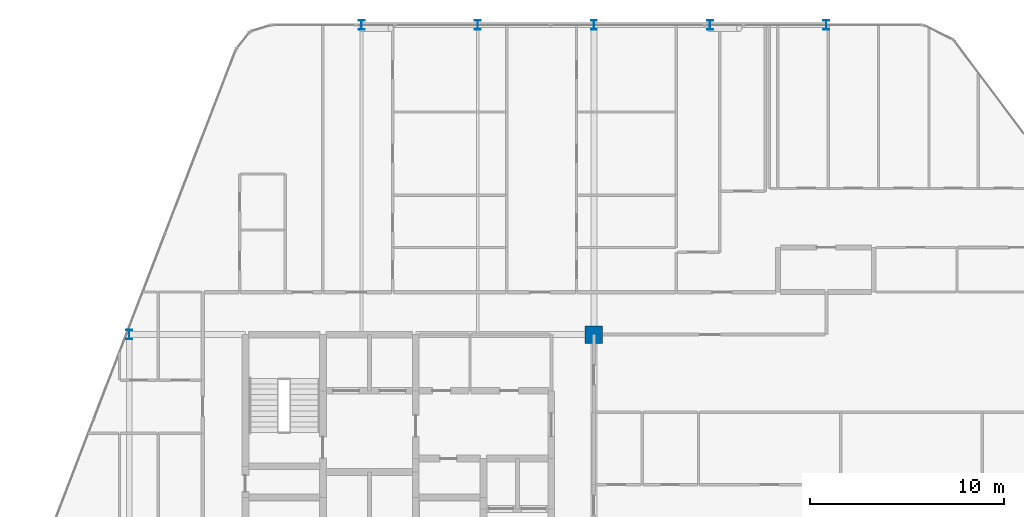
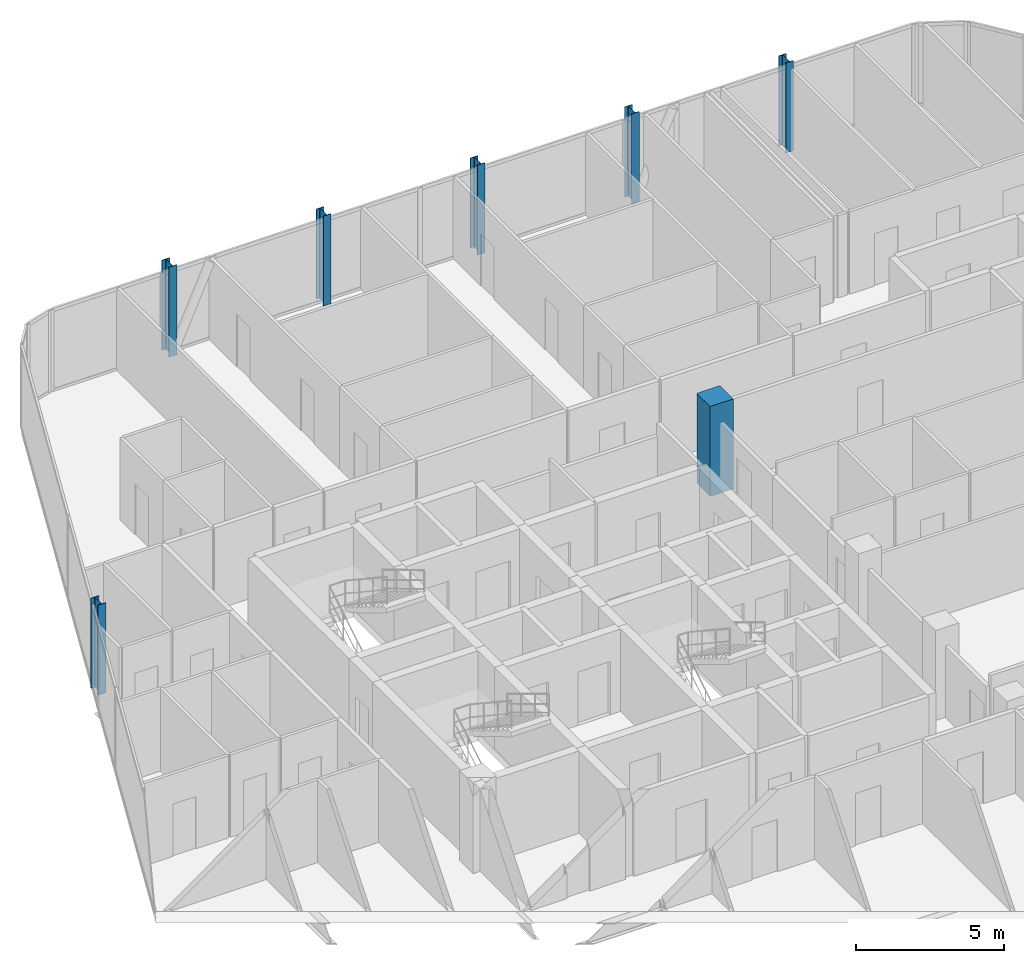
# One storey, part 3 of 32: 7 columns.
"""IFC4 building model written with IfcOpenShell, lengths in metres."""

from ifc_helpers import new_model, si_unit, direction, frame, origin, origin_2d, place, context, subcontext, project, spatial, rectangle, i_section, extrude, material, material_profile, profile_set, type_object, element, save


model = new_model("IFC4")

# Units and contexts
model_context = context("Model", 3, precision=1e-05, world=origin(), true_north=direction((0.0, 1.0)))
body_context = subcontext(model_context, "Body", "Model", "MODEL_VIEW")
ifc_project = project(units=[si_unit("LENGTHUNIT", "METRE"), si_unit("AREAUNIT", "SQUARE_METRE"), si_unit("VOLUMEUNIT", "CUBIC_METRE"), si_unit("PLANEANGLEUNIT", "RADIAN"), si_unit("MASSUNIT", "GRAM", prefix="KILO")], contexts=[model_context])

# Site, building, storey
site_placement = place(None, origin())
site = spatial("IfcSite", under=ifc_project, at=site_placement, CompositionType="ELEMENT")
building_placement = place(site_placement, origin())
building = spatial("IfcBuilding", under=site, at=building_placement, Name="Keshet Zoharim Tower", CompositionType="ELEMENT")
storey_placement = place(building_placement, frame((0.0, 0.0, 152.0)))
storey = spatial("IfcBuildingStorey", under=building, at=storey_placement, Name="L37", CompositionType="ELEMENT", Elevation=152.0)

# Columns
ifc_material_1 = material(Name="Steel S355", Category="steel")
ifc_material_profile_1 = material_profile(ifc_material_1, i_section(OverallWidth=0.300048828125, OverallDepth=0.5, WebThickness=0.014404296875, FlangeThickness=0.028076171875, FilletRadius=0.027099609375, at=origin_2d()), Name="HEB500")
ifc_profile_set_1 = profile_set([ifc_material_profile_1], Name="Steel S355")
column_type_1 = type_object("IfcColumnType", Name="COL-HEB500", PredefinedType="COLUMN", material=ifc_profile_set_1)
for number, where, z_axis, x_axis, name in (
    (1, (9.0, 37.89990234375, 0.0), (0.0, 0.0, 1.0), (1.0, 0.0, 0.0), "L37 Column 2H"),
    (2, (21.0, 53.89990234375, 0.0), (0.0, 0.0, 1.0), (1.0, 0.0, 0.0), "L37 Column 4L"),
    (3, (27.0, 53.89990234375, 0.0), (0.0, 0.0, 1.0), (1.0, 0.0, 0.0), "L37 Column 5L"),
    (4, (33.0, 53.89990234375, 0.0), (0.0, 0.0, 1.0), (1.0, 0.0, 0.0), "L37 Column 6L"),
    (5, (39.0, 53.89990234375, 0.0), (0.0, 0.0, 1.0), (1.0, 0.0, 0.0), "L37 Column 7L"),
    (6, (45.0, 53.89990234375, 0.0), (0.0, 0.0, 1.0), (1.0, 0.0, 0.0), "L37 Column 8L"),
):
    element("IfcColumn", number, at=place(storey_placement, frame(where, z_axis=z_axis, x_axis=x_axis)), inside=storey, type_object=column_type_1, Name=name, PredefinedType="COLUMN", context=body_context, shape_type="SweptSolid", body=[
        extrude(i_section(OverallWidth=0.300048828125, OverallDepth=0.5, WebThickness=0.014404296875, FlangeThickness=0.028076171875, FilletRadius=0.027099609375, at=origin_2d()), origin(), (0.0, 0.0, 1.0), 3.699951171875),
    ])
ifc_material_2 = material(Name="Concrete C60/75", Category="concrete")
ifc_material_profile_2 = material_profile(ifc_material_2, rectangle(XDim=0.89990234375, YDim=0.89990234375, at=origin_2d()), Name="RC900x900")
ifc_profile_set_2 = profile_set([ifc_material_profile_2], Name="Concrete C60/75")
column_type_2 = type_object("IfcColumnType", Name="COL-RC900", PredefinedType="COLUMN", material=ifc_profile_set_2)
column_placement = place(storey_placement, frame((33.0, 37.89990234375, 0.0), z_axis=(0.0, 0.0, 1.0), x_axis=(1.0, 0.0, 0.0)))
element("IfcColumn", 7, at=column_placement, inside=storey, type_object=column_type_2, Name="L37 Column 6H", PredefinedType="COLUMN", context=body_context, shape_type="SweptSolid", body=[
    extrude(rectangle(XDim=0.89990234375, YDim=0.89990234375, at=origin_2d()), origin(), (0.0, 0.0, 1.0), 3.699951171875),
])

save(model, "model.ifc")
